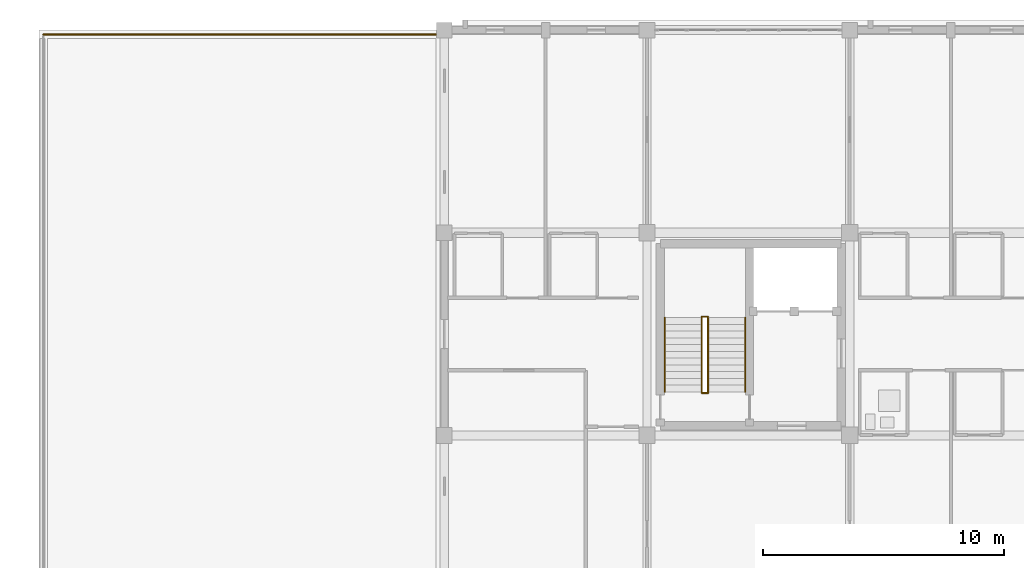
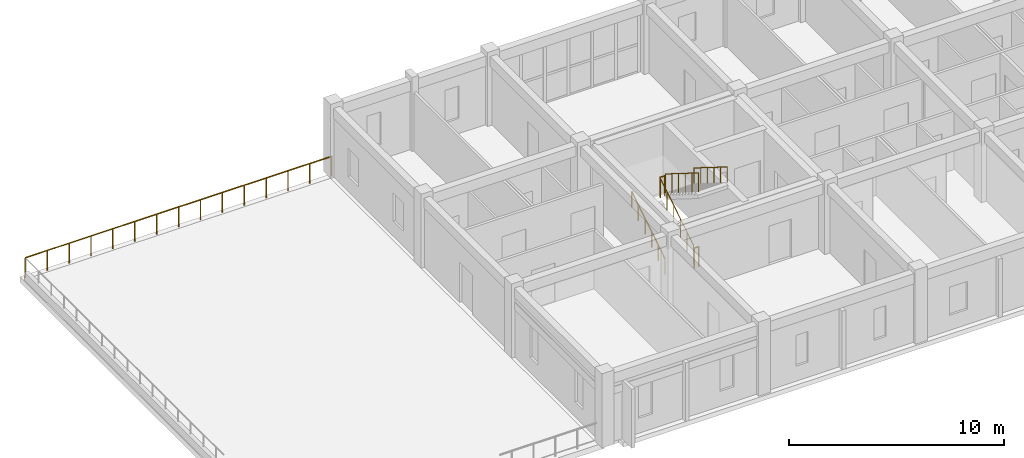
# One storey, part 86 of 90: 7 railings.
"""IFC4 building model written with IfcOpenShell, lengths in metres."""

from ifc_helpers import new_model, si_unit, direction, frame, origin, origin_2d, place, context, subcontext, project, spatial, circle, extrude, material, type_object, element, save


model = new_model("IFC4")

# Units and contexts
model_context = context("Model", 3, precision=1e-05, world=origin(), true_north=direction((0.0, 1.0)))
body_context = subcontext(model_context, "Body", "Model", "MODEL_VIEW")
ifc_project = project(units=[si_unit("LENGTHUNIT", "METRE"), si_unit("AREAUNIT", "SQUARE_METRE"), si_unit("VOLUMEUNIT", "CUBIC_METRE"), si_unit("PLANEANGLEUNIT", "RADIAN"), si_unit("MASSUNIT", "GRAM", prefix="KILO")], contexts=[model_context])

# Site, building, storey
site_placement = place(None, origin())
site = spatial("IfcSite", under=ifc_project, at=site_placement, CompositionType="ELEMENT")
building_placement = place(site_placement, origin())
building = spatial("IfcBuilding", under=site, at=building_placement, Name="Trelvath General Hospital", CompositionType="ELEMENT")
storey_placement = place(building_placement, frame((0.0, 0.0, 20.39990234375)))
storey = spatial("IfcBuildingStorey", under=building, at=storey_placement, Name="L05", CompositionType="ELEMENT", Elevation=20.39990234375)

# Railings
ifc_material_1 = material(Name="Architectural painted steel", Category="steel")
railing_type_1 = type_object("IfcRailingType", Name="Guardrail Terrace1150", PredefinedType="GUARDRAIL", material=ifc_material_1)
railing_1_placement = place(storey_placement, frame((16.97998046875, 117.419921875, 0.0)))
element("IfcRailing", 1, at=railing_1_placement, inside=storey, type_object=railing_type_1, Name="Planted Terrace Guardrail TERR-NW-W5 N 12", PredefinedType="GUARDRAIL", context=body_context, shape_type="SweptSolid", body=[
    extrude(circle(Radius=0.02392578125, at=origin_2d()), frame((0.0, 0.0, 1.1259765625), z_axis=(1.0, 0.0, 0.0), x_axis=(0.0, 1.0, 0.0)), (0.0, 0.0, 1.0), 16.43994140625),
    extrude(circle(Radius=0.02099609375, at=origin_2d()), origin(), (0.0, 0.0, 1.0), 1.099853515625),
    extrude(circle(Radius=0.02099609375, at=origin_2d()), frame((1.17431640625, 0.0, 0.0)), (0.0, 0.0, 1.0), 1.099853515625),
    extrude(circle(Radius=0.02099609375, at=origin_2d()), frame((2.3486328125, 0.0, 0.0)), (0.0, 0.0, 1.0), 1.099853515625),
    extrude(circle(Radius=0.02099609375, at=origin_2d()), frame((3.52294921875, 0.0, 0.0)), (0.0, 0.0, 1.0), 1.099853515625),
    extrude(circle(Radius=0.02099609375, at=origin_2d()), frame((4.697021484375, 0.0, 0.0)), (0.0, 0.0, 1.0), 1.099853515625),
    extrude(circle(Radius=0.02099609375, at=origin_2d()), frame((5.871337890625, 0.0, 0.0)), (0.0, 0.0, 1.0), 1.099853515625),
    extrude(circle(Radius=0.02099609375, at=origin_2d()), frame((7.045654296875, 0.0, 0.0)), (0.0, 0.0, 1.0), 1.099853515625),
    extrude(circle(Radius=0.02099609375, at=origin_2d()), frame((8.219970703125, 0.0, 0.0)), (0.0, 0.0, 1.0), 1.099853515625),
    extrude(circle(Radius=0.02099609375, at=origin_2d()), frame((9.394287109375, 0.0, 0.0)), (0.0, 0.0, 1.0), 1.099853515625),
    extrude(circle(Radius=0.02099609375, at=origin_2d()), frame((10.568603515625, 0.0, 0.0)), (0.0, 0.0, 1.0), 1.099853515625),
    extrude(circle(Radius=0.02099609375, at=origin_2d()), frame((11.742919921875, 0.0, 0.0)), (0.0, 0.0, 1.0), 1.099853515625),
    extrude(circle(Radius=0.02099609375, at=origin_2d()), frame((12.9169921875, 0.0, 0.0)), (0.0, 0.0, 1.0), 1.099853515625),
    extrude(circle(Radius=0.02099609375, at=origin_2d()), frame((14.09130859375, 0.0, 0.0)), (0.0, 0.0, 1.0), 1.099853515625),
    extrude(circle(Radius=0.02099609375, at=origin_2d()), frame((15.265625, 0.0, 0.0)), (0.0, 0.0, 1.0), 1.099853515625),
    extrude(circle(Radius=0.02099609375, at=origin_2d()), frame((16.43994140625, 0.0, 0.0)), (0.0, 0.0, 1.0), 1.099853515625),
])
railing_2_placement = place(storey_placement, frame((44.27001953125, 102.56005859375, 0.0)))
element("IfcRailing", 2, at=railing_2_placement, inside=storey, type_object=railing_type_1, Name="Stair Well Edge Guard C1 L05 30", PredefinedType="GUARDRAIL", context=body_context, shape_type="SweptSolid", body=[
    extrude(circle(Radius=0.02392578125, at=origin_2d()), frame((0.0, 0.0, 1.1259765625), z_axis=(1.0, 0.0, 0.0), x_axis=(0.0, 1.0, 0.0)), (0.0, 0.0, 1.0), 0.260009765625),
    extrude(circle(Radius=0.02099609375, at=origin_2d()), origin(), (0.0, 0.0, 1.0), 1.099853515625),
    extrude(circle(Radius=0.02099609375, at=origin_2d()), frame((0.260009765625, 0.0, 0.0)), (0.0, 0.0, 1.0), 1.099853515625),
])
railing_3_placement = place(storey_placement, frame((44.530029296875, 105.679931640625, 2.275146484375)))
element("IfcRailing", 3, at=railing_3_placement, inside=storey, type_object=railing_type_1, Name="Stair Rail ST1 L05 F2 L 32", PredefinedType="GUARDRAIL", context=body_context, shape_type="SweptSolid", body=[
    extrude(circle(Radius=0.02392578125, at=origin_2d()), frame((0.0, 0.0, 1.076171875), z_axis=(0.0, -0.847979421464, 0.530029150871), x_axis=(1.0, 0.0, 0.0)), (0.0, 0.0, 1.0), 3.632080078125),
    extrude(circle(Radius=0.02099609375, at=origin_2d()), origin(), (0.0, 0.0, 1.0), 1.050048828125),
    extrude(circle(Radius=0.02099609375, at=origin_2d()), frame((0.0, -0.615966796875, 0.385009765625)), (0.0, 0.0, 1.0), 1.050048828125),
    extrude(circle(Radius=0.02099609375, at=origin_2d()), frame((0.0, -1.23193359375, 0.77001953125)), (0.0, 0.0, 1.0), 1.050048828125),
    extrude(circle(Radius=0.02099609375, at=origin_2d()), frame((0.0, -1.847900390625, 1.155029296875)), (0.0, 0.0, 1.0), 1.050048828125),
    extrude(circle(Radius=0.02099609375, at=origin_2d()), frame((0.0, -2.4638671875, 1.5400390625)), (0.0, 0.0, 1.0), 1.050048828125),
    extrude(circle(Radius=0.02099609375, at=origin_2d()), frame((0.0, -3.079833984375, 1.925048828125)), (0.0, 0.0, 1.0), 1.050048828125),
])
railing_4_placement = place(storey_placement, frame((44.27001953125, 102.60009765625, 0.175048828125)))
element("IfcRailing", 4, at=railing_4_placement, inside=storey, type_object=railing_type_1, Name="Stair Rail ST1 L05 F1 R 33", PredefinedType="GUARDRAIL", context=body_context, shape_type="SweptSolid", body=[
    extrude(circle(Radius=0.02392578125, at=origin_2d()), frame((0.0, 0.0, 1.076171875), z_axis=(0.0, 0.847979421464, 0.530029150871), x_axis=(-1.0, 0.0, 0.0)), (0.0, 0.0, 1.0), 3.632080078125),
    extrude(circle(Radius=0.02099609375, at=origin_2d()), origin(), (0.0, 0.0, 1.0), 1.050048828125),
    extrude(circle(Radius=0.02099609375, at=origin_2d()), frame((0.0, 0.615966796875, 0.385009765625)), (0.0, 0.0, 1.0), 1.050048828125),
    extrude(circle(Radius=0.02099609375, at=origin_2d()), frame((0.0, 1.23193359375, 0.77001953125)), (0.0, 0.0, 1.0), 1.050048828125),
    extrude(circle(Radius=0.02099609375, at=origin_2d()), frame((0.0, 1.847900390625, 1.155029296875)), (0.0, 0.0, 1.0), 1.050048828125),
    extrude(circle(Radius=0.02099609375, at=origin_2d()), frame((0.0, 2.4638671875, 1.5400390625)), (0.0, 0.0, 1.0), 1.050048828125),
    extrude(circle(Radius=0.02099609375, at=origin_2d()), frame((0.0, 3.079833984375, 1.925048828125)), (0.0, 0.0, 1.0), 1.050048828125),
])
railing_5_placement = place(storey_placement, frame((44.27001953125, 105.719970703125, 2.10009765625)))
element("IfcRailing", 5, at=railing_5_placement, inside=storey, type_object=railing_type_1, Name="Half-Landing Well Guard ST1 L05 35", PredefinedType="GUARDRAIL", context=body_context, shape_type="SweptSolid", body=[
    extrude(circle(Radius=0.02392578125, at=origin_2d()), frame((0.0, 0.0, 1.1259765625), z_axis=(1.0, 0.0, 0.0), x_axis=(0.0, 1.0, 0.0)), (0.0, 0.0, 1.0), 0.260009765625),
    extrude(circle(Radius=0.02099609375, at=origin_2d()), origin(), (0.0, 0.0, 1.0), 1.099853515625),
    extrude(circle(Radius=0.02099609375, at=origin_2d()), frame((0.260009765625, 0.0, 0.0)), (0.0, 0.0, 1.0), 1.099853515625),
])
ifc_material_2 = material(Name="Brushed stainless steel", Category="steel")
railing_type_2 = type_object("IfcRailingType", Name="Handrail Stair900", PredefinedType="HANDRAIL", material=ifc_material_2)
railing_6_placement = place(storey_placement, frame((42.72998046875, 102.60009765625, 0.175048828125)))
element("IfcRailing", 6, at=railing_6_placement, inside=storey, type_object=railing_type_2, Name="Stair Rail ST1 L05 F1 L 31", PredefinedType="HANDRAIL", context=body_context, shape_type="SweptSolid", body=[
    extrude(circle(Radius=0.02392578125, at=origin_2d()), frame((0.0, 0.0, 0.8759765625), z_axis=(0.0, 0.847979421464, 0.530029150871), x_axis=(-1.0, 0.0, 0.0)), (0.0, 0.0, 1.0), 3.632080078125),
    extrude(circle(Radius=0.02099609375, at=origin_2d()), origin(), (0.0, 0.0, 1.0), 0.849853515625),
    extrude(circle(Radius=0.02099609375, at=origin_2d()), frame((0.0, 0.615966796875, 0.385009765625)), (0.0, 0.0, 1.0), 0.849853515625),
    extrude(circle(Radius=0.02099609375, at=origin_2d()), frame((0.0, 1.23193359375, 0.77001953125)), (0.0, 0.0, 1.0), 0.849853515625),
    extrude(circle(Radius=0.02099609375, at=origin_2d()), frame((0.0, 1.847900390625, 1.155029296875)), (0.0, 0.0, 1.0), 0.849853515625),
    extrude(circle(Radius=0.02099609375, at=origin_2d()), frame((0.0, 2.4638671875, 1.5400390625)), (0.0, 0.0, 1.0), 0.849853515625),
    extrude(circle(Radius=0.02099609375, at=origin_2d()), frame((0.0, 3.079833984375, 1.925048828125)), (0.0, 0.0, 1.0), 0.849853515625),
])
railing_7_placement = place(storey_placement, frame((46.070068359375, 105.679931640625, 2.275146484375)))
element("IfcRailing", 7, at=railing_7_placement, inside=storey, type_object=railing_type_2, Name="Stair Rail ST1 L05 F2 R 34", PredefinedType="HANDRAIL", context=body_context, shape_type="SweptSolid", body=[
    extrude(circle(Radius=0.02392578125, at=origin_2d()), frame((0.0, 0.0, 0.8759765625), z_axis=(0.0, -0.847979421464, 0.530029150871), x_axis=(1.0, 0.0, 0.0)), (0.0, 0.0, 1.0), 3.632080078125),
    extrude(circle(Radius=0.02099609375, at=origin_2d()), origin(), (0.0, 0.0, 1.0), 0.849853515625),
    extrude(circle(Radius=0.02099609375, at=origin_2d()), frame((0.0, -0.615966796875, 0.385009765625)), (0.0, 0.0, 1.0), 0.849853515625),
    extrude(circle(Radius=0.02099609375, at=origin_2d()), frame((0.0, -1.23193359375, 0.77001953125)), (0.0, 0.0, 1.0), 0.849853515625),
    extrude(circle(Radius=0.02099609375, at=origin_2d()), frame((0.0, -1.847900390625, 1.155029296875)), (0.0, 0.0, 1.0), 0.849853515625),
    extrude(circle(Radius=0.02099609375, at=origin_2d()), frame((0.0, -2.4638671875, 1.5400390625)), (0.0, 0.0, 1.0), 0.849853515625),
    extrude(circle(Radius=0.02099609375, at=origin_2d()), frame((0.0, -3.079833984375, 1.925048828125)), (0.0, 0.0, 1.0), 0.849853515625),
])

save(model, "model.ifc")
